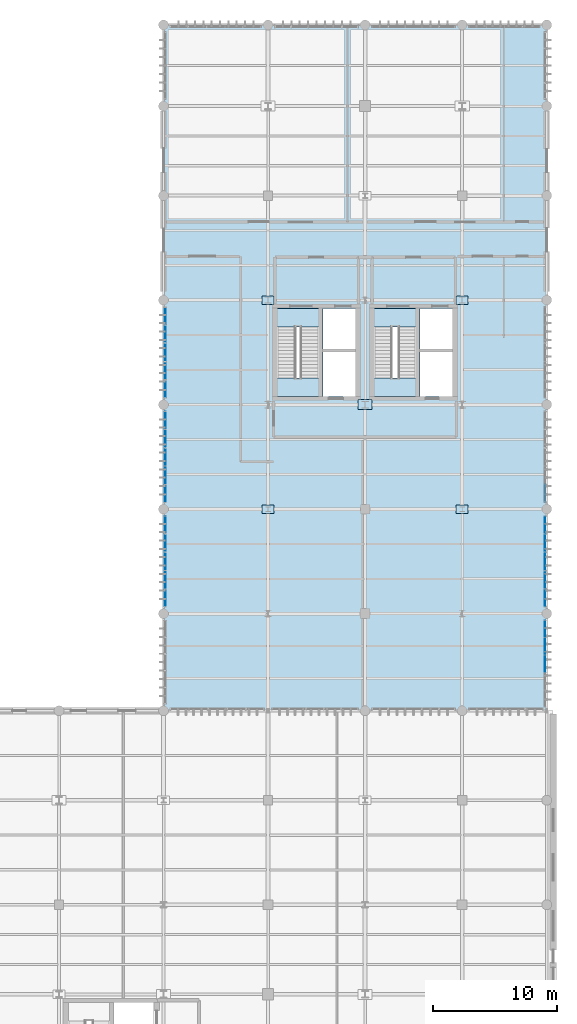
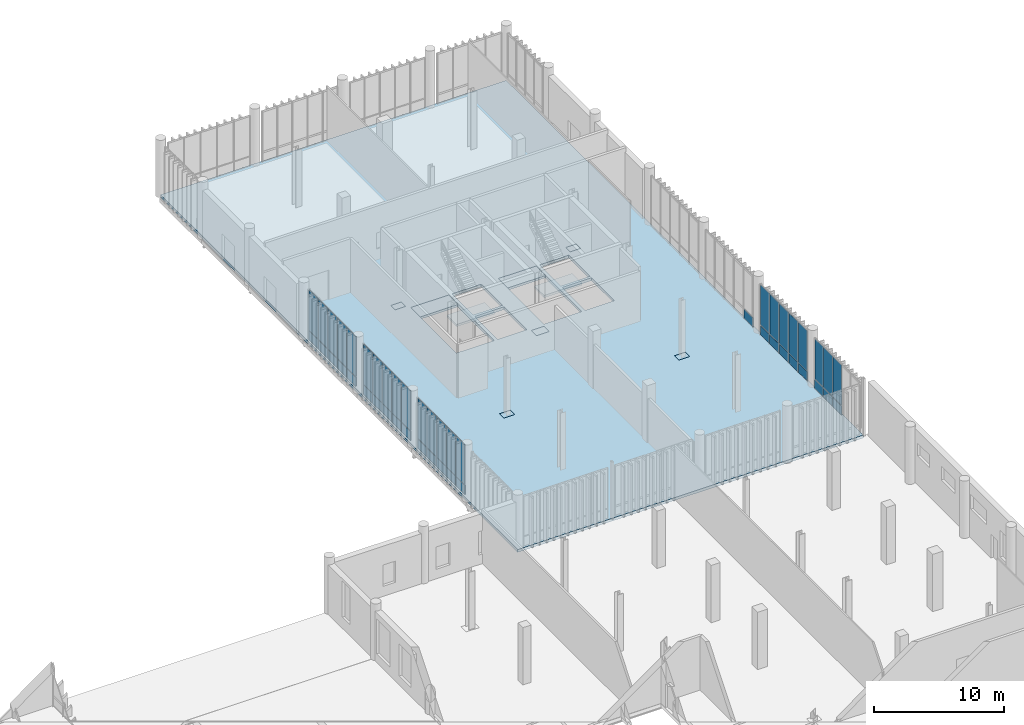
# One storey, part 82 of 112: 52 plates, 5 slabs, 8 elements without a shape of their own.
"""IFC4 building model written with IfcOpenShell, lengths in metres."""

from ifc_helpers import new_model, si_unit, direction, frame, frame_2d, origin_with_axes, origin_2d_with_axis, place, context, subcontext, project, spatial, polyline, rectangle, outline, extrude, material, layer, layer_set, type_object, element, aggregate, save


model = new_model("IFC4")

# Units and contexts
model_context = context("Model", 3, precision=1e-05, world=origin_with_axes(), true_north=direction((0.0, 1.0)))
body_context = subcontext(model_context, "Body", "Model", "MODEL_VIEW")
ifc_project = project(units=[si_unit("LENGTHUNIT", "METRE"), si_unit("AREAUNIT", "SQUARE_METRE"), si_unit("VOLUMEUNIT", "CUBIC_METRE"), si_unit("PLANEANGLEUNIT", "RADIAN"), si_unit("MASSUNIT", "GRAM", prefix="KILO"), si_unit("THERMODYNAMICTEMPERATUREUNIT", "KELVIN")], contexts=[model_context])

# Site, building, storey
site_placement = place(None, origin_with_axes())
site = spatial("IfcSite", under=ifc_project, at=site_placement, CompositionType="ELEMENT")
building_placement = place(site_placement, origin_with_axes())
building = spatial("IfcBuilding", under=site, at=building_placement, Name="Montbau Bow Law Courts", CompositionType="ELEMENT")
storey_placement = place(building_placement, origin_with_axes())
storey = spatial("IfcBuildingStorey", under=building, at=storey_placement, Name="L00", CompositionType="ELEMENT", Elevation=0.0)

# Plates
ifc_material_1 = material(Name="Steel CSA G40.21 Grade 350WT (350 MPa)", Category="steel")
ifc_layer_1 = layer(ifc_material_1, 0.065, Name="Base Plate", Category="steel")
ifc_layer_set_1 = layer_set([ifc_layer_1], Name="Steel CSA G40.21 Grade 350WT (350 MPa)")
plate_type_1 = type_object("IfcPlateType", Name="PL-BAS-01", PredefinedType="USERDEFINED", material=ifc_layer_set_1)
plate_1_placement = place(None, frame((154.8, 86.4, -0.065), z_axis=(0.0, 0.0, 1.0), x_axis=(1.0, 0.0, 0.0)))
element("IfcPlate", 1, at=plate_1_placement, inside=storey, type_object=plate_type_1, Name="BP-324:plt_0025", ObjectType="BASE_PLATE", PredefinedType="USERDEFINED", context=body_context, shape_type="SweptSolid", body=[
    extrude(rectangle(XDim=1.15, YDim=0.8, at=origin_2d_with_axis()), origin_with_axes(), (0.0, 0.0, 1.0), 0.065),
])
ifc_material_2 = material(Name="Steel CSA G40.21 Grade 350W (350 MPa)", Category="steel")
ifc_layer_2 = layer(ifc_material_2, 0.05, Name="Base Plate", Category="steel")
ifc_layer_set_2 = layer_set([ifc_layer_2], Name="Steel CSA G40.21 Grade 350W (350 MPa)")
plate_type_2 = type_object("IfcPlateType", Name="PL-BAS-02", PredefinedType="USERDEFINED", material=ifc_layer_set_2)
for number, where, z_axis, x_axis, name in (
    (2, (147.0, 78.0, -0.05), (0.0, 0.0, 1.0), (1.0, 0.0, 0.0), "BP-308:plt_0020"),
    (3, (147.0, 94.8, -0.05), (0.0, 0.0, 1.0), (1.0, 0.0, 0.0), "BP-310:plt_0021"),
    (4, (162.6, 78.0, -0.05), (0.0, 0.0, 1.0), (1.0, 0.0, 0.0), "BP-338:plt_0029"),
    (5, (162.6, 94.8, -0.05), (0.0, 0.0, 1.0), (1.0, 0.0, 0.0), "BP-340:plt_0030"),
):
    element("IfcPlate", number, at=place(None, frame(where, z_axis=z_axis, x_axis=x_axis)), inside=storey, type_object=plate_type_2, Name=name, ObjectType="BASE_PLATE", PredefinedType="USERDEFINED", context=body_context, shape_type="SweptSolid", body=[
        extrude(rectangle(XDim=0.96, YDim=0.68, at=origin_2d_with_axis()), origin_with_axes(), (0.0, 0.0, 1.0), 0.05),
    ])

# Curtain wall, plates
ifc_material_3 = material(Name="Thermally Broken Extruded Aluminium AA 6063-T6", Category="aluminium")
curtain_wall_type = type_object("IfcCurtainWallType", Name="CW-SLT-01", PredefinedType="NOTDEFINED", material=ifc_material_3)
curtain_wall_1_placement = place(None, frame((138.74, 70.115, 0.0), z_axis=(0.0, 0.0, 1.0), x_axis=(1.0, 0.0, 0.0)))
curtain_wall_1 = element("IfcCurtainWall", 6, at=curtain_wall_1_placement, inside=storey, type_object=curtain_wall_type, Name="CW-L00-268:cw_0268", PredefinedType="NOTDEFINED")
ifc_material_4 = material(Name="Triple-Glazed Low-E Argon Insulating Glass Unit", Category="glass")
ifc_layer_3 = layer(ifc_material_4, 0.044, Name="Curtain Panel", Category="glass")
ifc_layer_set_3 = layer_set([ifc_layer_3], Name="Triple-Glazed Low-E Argon Insulating Glass Unit")
plate_type_3 = type_object("IfcPlateType", Name="PL-CWP-01", PredefinedType="CURTAIN_PANEL", material=ifc_layer_set_3)
plate_2_placement = place(None, frame((138.74, 70.183, 0.982), z_axis=(1.0, 0.0, 0.0), x_axis=(0.0, 1.0, 0.0)))
plate_2 = element("IfcPlate", 7, at=plate_2_placement, type_object=plate_type_3, Name="CW-L00-268-P01-2:cw_0268_P01_2", PredefinedType="CURTAIN_PANEL", context=body_context, shape_type="SweptSolid", body=[
    extrude(rectangle(XDim=1.372, YDim=3.776, at=frame_2d((0.686, 1.888), x_axis=(1.0, 0.0))), frame((0.0, 0.0, -0.022), z_axis=(0.0, 0.0, 1.0), x_axis=(1.0, 0.0, 0.0)), (0.0, 0.0, 1.0), 0.044),
])
plate_3_placement = place(None, frame((138.74, 71.623, 0.982), z_axis=(1.0, 0.0, 0.0), x_axis=(0.0, 1.0, 0.0)))
plate_3 = element("IfcPlate", 8, at=plate_3_placement, type_object=plate_type_3, Name="CW-L00-268-P02-2:cw_0268_P02_2", PredefinedType="CURTAIN_PANEL", context=body_context, shape_type="SweptSolid", body=[
    extrude(rectangle(XDim=1.405, YDim=3.776, at=frame_2d((0.7025, 1.888), x_axis=(1.0, 0.0))), frame((0.0, 0.0, -0.022), z_axis=(0.0, 0.0, 1.0), x_axis=(1.0, 0.0, 0.0)), (0.0, 0.0, 1.0), 0.044),
])
plate_4_placement = place(None, frame((138.74, 73.097, 0.982), z_axis=(1.0, 0.0, 0.0), x_axis=(0.0, 1.0, 0.0)))
plate_4 = element("IfcPlate", 9, at=plate_4_placement, type_object=plate_type_3, Name="CW-L00-268-P03-2:cw_0268_P03_2", PredefinedType="CURTAIN_PANEL", context=body_context, shape_type="SweptSolid", body=[
    extrude(rectangle(XDim=1.406, YDim=3.776, at=frame_2d((0.703, 1.888), x_axis=(1.0, 0.0))), frame((0.0, 0.0, -0.022), z_axis=(0.0, 0.0, 1.0), x_axis=(1.0, 0.0, 0.0)), (0.0, 0.0, 1.0), 0.044),
])
plate_5_placement = place(None, frame((138.74, 74.571, 0.982), z_axis=(1.0, 0.0, 0.0), x_axis=(0.0, 1.0, 0.0)))
plate_5 = element("IfcPlate", 10, at=plate_5_placement, type_object=plate_type_3, Name="CW-L00-268-P04-2:cw_0268_P04_2", PredefinedType="CURTAIN_PANEL", context=body_context, shape_type="SweptSolid", body=[
    extrude(rectangle(XDim=1.406, YDim=3.776, at=frame_2d((0.703, 1.888), x_axis=(1.0, 0.0))), frame((0.0, 0.0, -0.022), z_axis=(0.0, 0.0, 1.0), x_axis=(1.0, 0.0, 0.0)), (0.0, 0.0, 1.0), 0.044),
])
plate_6_placement = place(None, frame((138.74, 76.045, 0.982), z_axis=(1.0, 0.0, 0.0), x_axis=(0.0, 1.0, 0.0)))
plate_6 = element("IfcPlate", 11, at=plate_6_placement, type_object=plate_type_3, Name="CW-L00-268-P05-2:cw_0268_P05_2", PredefinedType="CURTAIN_PANEL", context=body_context, shape_type="SweptSolid", body=[
    extrude(rectangle(XDim=1.374, YDim=3.776, at=frame_2d((0.687, 1.888), x_axis=(1.0, 0.0))), frame((0.0, 0.0, -0.022), z_axis=(0.0, 0.0, 1.0), x_axis=(1.0, 0.0, 0.0)), (0.0, 0.0, 1.0), 0.044),
])

curtain_wall_2_placement = place(None, frame((138.74, 78.515, 0.0), z_axis=(0.0, 0.0, 1.0), x_axis=(1.0, 0.0, 0.0)))
curtain_wall_2 = element("IfcCurtainWall", 12, at=curtain_wall_2_placement, inside=storey, type_object=curtain_wall_type, Name="CW-L00-269:cw_0269", PredefinedType="NOTDEFINED")
plate_7_placement = place(None, frame((138.74, 78.577, 0.979), z_axis=(1.0, 0.0, 0.0), x_axis=(0.0, 1.0, 0.0)))
plate_7 = element("IfcPlate", 13, at=plate_7_placement, type_object=plate_type_3, Name="CW-L00-269-P01-2:cw_0269_P01_2", PredefinedType="CURTAIN_PANEL", context=body_context, shape_type="SweptSolid", body=[
    extrude(rectangle(XDim=1.38, YDim=3.785, at=frame_2d((0.69, 1.8925), x_axis=(1.0, 0.0))), frame((0.0, 0.0, -0.022), z_axis=(0.0, 0.0, 1.0), x_axis=(1.0, 0.0, 0.0)), (0.0, 0.0, 1.0), 0.044),
])
plate_8_placement = place(None, frame((138.74, 80.021, 0.979), z_axis=(1.0, 0.0, 0.0), x_axis=(0.0, 1.0, 0.0)))
plate_8 = element("IfcPlate", 14, at=plate_8_placement, type_object=plate_type_3, Name="CW-L00-269-P02-2:cw_0269_P02_2", PredefinedType="CURTAIN_PANEL", context=body_context, shape_type="SweptSolid", body=[
    extrude(rectangle(XDim=1.41, YDim=3.785, at=frame_2d((0.705, 1.8925), x_axis=(1.0, 0.0))), frame((0.0, 0.0, -0.022), z_axis=(0.0, 0.0, 1.0), x_axis=(1.0, 0.0, 0.0)), (0.0, 0.0, 1.0), 0.044),
])
plate_9_placement = place(None, frame((138.74, 81.495, 0.979), z_axis=(1.0, 0.0, 0.0), x_axis=(0.0, 1.0, 0.0)))
plate_9 = element("IfcPlate", 15, at=plate_9_placement, type_object=plate_type_3, Name="CW-L00-269-P03-2:cw_0269_P03_2", PredefinedType="CURTAIN_PANEL", context=body_context, shape_type="SweptSolid", body=[
    extrude(rectangle(XDim=1.41, YDim=3.785, at=frame_2d((0.705, 1.8925), x_axis=(1.0, 0.0))), frame((0.0, 0.0, -0.022), z_axis=(0.0, 0.0, 1.0), x_axis=(1.0, 0.0, 0.0)), (0.0, 0.0, 1.0), 0.044),
])
plate_10_placement = place(None, frame((138.74, 82.969, 0.979), z_axis=(1.0, 0.0, 0.0), x_axis=(0.0, 1.0, 0.0)))
plate_10 = element("IfcPlate", 16, at=plate_10_placement, type_object=plate_type_3, Name="CW-L00-269-P04-2:cw_0269_P04_2", PredefinedType="CURTAIN_PANEL", context=body_context, shape_type="SweptSolid", body=[
    extrude(rectangle(XDim=1.41, YDim=3.785, at=frame_2d((0.705, 1.8925), x_axis=(1.0, 0.0))), frame((0.0, 0.0, -0.022), z_axis=(0.0, 0.0, 1.0), x_axis=(1.0, 0.0, 0.0)), (0.0, 0.0, 1.0), 0.044),
])
plate_11_placement = place(None, frame((138.74, 84.443, 0.979), z_axis=(1.0, 0.0, 0.0), x_axis=(0.0, 1.0, 0.0)))
plate_11 = element("IfcPlate", 17, at=plate_11_placement, type_object=plate_type_3, Name="CW-L00-269-P05-2:cw_0269_P05_2", PredefinedType="CURTAIN_PANEL", context=body_context, shape_type="SweptSolid", body=[
    extrude(rectangle(XDim=1.38, YDim=3.785, at=frame_2d((0.69, 1.8925), x_axis=(1.0, 0.0))), frame((0.0, 0.0, -0.022), z_axis=(0.0, 0.0, 1.0), x_axis=(1.0, 0.0, 0.0)), (0.0, 0.0, 1.0), 0.044),
])

curtain_wall_3_placement = place(None, frame((138.74, 86.915, 0.0), z_axis=(0.0, 0.0, 1.0), x_axis=(1.0, 0.0, 0.0)))
curtain_wall_3 = element("IfcCurtainWall", 18, at=curtain_wall_3_placement, inside=storey, type_object=curtain_wall_type, Name="CW-L00-270:cw_0270", PredefinedType="NOTDEFINED")
plate_12_placement = place(None, frame((138.74, 86.991, 0.982), z_axis=(1.0, 0.0, 0.0), x_axis=(0.0, 1.0, 0.0)))
plate_12 = element("IfcPlate", 19, at=plate_12_placement, type_object=plate_type_3, Name="CW-L00-270-P01-2:cw_0270_P01_2", PredefinedType="CURTAIN_PANEL", context=body_context, shape_type="SweptSolid", body=[
    extrude(rectangle(XDim=1.358, YDim=3.776, at=frame_2d((0.679, 1.888), x_axis=(1.0, 0.0))), frame((0.0, 0.0, -0.022), z_axis=(0.0, 0.0, 1.0), x_axis=(1.0, 0.0, 0.0)), (0.0, 0.0, 1.0), 0.044),
])
plate_13_placement = place(None, frame((138.74, 88.429, 0.982), z_axis=(1.0, 0.0, 0.0), x_axis=(0.0, 1.0, 0.0)))
plate_13 = element("IfcPlate", 20, at=plate_13_placement, type_object=plate_type_3, Name="CW-L00-270-P02-2:cw_0270_P02_2", PredefinedType="CURTAIN_PANEL", context=body_context, shape_type="SweptSolid", body=[
    extrude(rectangle(XDim=1.395, YDim=3.776, at=frame_2d((0.6975, 1.888), x_axis=(1.0, 0.0))), frame((0.0, 0.0, -0.022), z_axis=(0.0, 0.0, 1.0), x_axis=(1.0, 0.0, 0.0)), (0.0, 0.0, 1.0), 0.044),
])
plate_14_placement = place(None, frame((138.74, 89.902, 0.982), z_axis=(1.0, 0.0, 0.0), x_axis=(0.0, 1.0, 0.0)))
plate_14 = element("IfcPlate", 21, at=plate_14_placement, type_object=plate_type_3, Name="CW-L00-270-P03-2:cw_0270_P03_2", PredefinedType="CURTAIN_PANEL", context=body_context, shape_type="SweptSolid", body=[
    extrude(rectangle(XDim=1.396, YDim=3.776, at=frame_2d((0.698, 1.888), x_axis=(1.0, 0.0))), frame((0.0, 0.0, -0.022), z_axis=(0.0, 0.0, 1.0), x_axis=(1.0, 0.0, 0.0)), (0.0, 0.0, 1.0), 0.044),
])
plate_15_placement = place(None, frame((138.74, 91.376, 0.982), z_axis=(1.0, 0.0, 0.0), x_axis=(0.0, 1.0, 0.0)))
plate_15 = element("IfcPlate", 22, at=plate_15_placement, type_object=plate_type_3, Name="CW-L00-270-P04-2:cw_0270_P04_2", PredefinedType="CURTAIN_PANEL", context=body_context, shape_type="SweptSolid", body=[
    extrude(rectangle(XDim=1.396, YDim=3.776, at=frame_2d((0.698, 1.888), x_axis=(1.0, 0.0))), frame((0.0, 0.0, -0.022), z_axis=(0.0, 0.0, 1.0), x_axis=(1.0, 0.0, 0.0)), (0.0, 0.0, 1.0), 0.044),
])
plate_16_placement = place(None, frame((138.74, 92.85, 0.982), z_axis=(1.0, 0.0, 0.0), x_axis=(0.0, 1.0, 0.0)))
plate_16 = element("IfcPlate", 23, at=plate_16_placement, type_object=plate_type_3, Name="CW-L00-270-P05-2:cw_0270_P05_2", PredefinedType="CURTAIN_PANEL", context=body_context, shape_type="SweptSolid", body=[
    extrude(rectangle(XDim=1.358, YDim=3.776, at=frame_2d((0.679, 1.888), x_axis=(1.0, 0.0))), frame((0.0, 0.0, -0.022), z_axis=(0.0, 0.0, 1.0), x_axis=(1.0, 0.0, 0.0)), (0.0, 0.0, 1.0), 0.044),
])

curtain_wall_4_placement = place(None, frame((169.26, 62.068, 0.0), z_axis=(0.0, 0.0, 1.0), x_axis=(1.0, 0.0, 0.0)))
curtain_wall_4 = element("IfcCurtainWall", 24, at=curtain_wall_4_placement, inside=storey, type_object=curtain_wall_type, Name="CW-L00-272:cw_0272", PredefinedType="NOTDEFINED")
plate_17_placement = place(None, frame((169.26, 64.907, 0.982), z_axis=(1.0, 0.0, 0.0), x_axis=(0.0, 1.0, 0.0)))
plate_17 = element("IfcPlate", 25, at=plate_17_placement, type_object=plate_type_3, Name="CW-L00-272-P03-2:cw_0272_P03_2", PredefinedType="CURTAIN_PANEL", context=body_context, shape_type="SweptSolid", body=[
    extrude(rectangle(XDim=1.339, YDim=3.776, at=frame_2d((0.6695, 1.888), x_axis=(1.0, 0.0))), frame((0.0, 0.0, -0.022), z_axis=(0.0, 0.0, 1.0), x_axis=(1.0, 0.0, 0.0)), (0.0, 0.0, 1.0), 0.044),
])
plate_18_placement = place(None, frame((169.26, 66.31, 0.982), z_axis=(1.0, 0.0, 0.0), x_axis=(0.0, 1.0, 0.0)))
plate_18 = element("IfcPlate", 26, at=plate_18_placement, type_object=plate_type_3, Name="CW-L00-272-P04-2:cw_0272_P04_2", PredefinedType="CURTAIN_PANEL", context=body_context, shape_type="SweptSolid", body=[
    extrude(rectangle(XDim=1.34, YDim=3.776, at=frame_2d((0.67, 1.888), x_axis=(1.0, 0.0))), frame((0.0, 0.0, -0.022), z_axis=(0.0, 0.0, 1.0), x_axis=(1.0, 0.0, 0.0)), (0.0, 0.0, 1.0), 0.044),
])
plate_19_placement = place(None, frame((169.26, 67.714, 0.982), z_axis=(1.0, 0.0, 0.0), x_axis=(0.0, 1.0, 0.0)))
plate_19 = element("IfcPlate", 27, at=plate_19_placement, type_object=plate_type_3, Name="CW-L00-272-P05-2:cw_0272_P05_2", PredefinedType="CURTAIN_PANEL", context=body_context, shape_type="SweptSolid", body=[
    extrude(rectangle(XDim=1.309, YDim=3.776, at=frame_2d((0.6545, 1.888), x_axis=(1.0, 0.0))), frame((0.0, 0.0, -0.022), z_axis=(0.0, 0.0, 1.0), x_axis=(1.0, 0.0, 0.0)), (0.0, 0.0, 1.0), 0.044),
])

curtain_wall_5_placement = place(None, frame((169.26, 70.115, 0.0), z_axis=(0.0, 0.0, 1.0), x_axis=(1.0, 0.0, 0.0)))
curtain_wall_5 = element("IfcCurtainWall", 28, at=curtain_wall_5_placement, inside=storey, type_object=curtain_wall_type, Name="CW-L00-273:cw_0273", PredefinedType="NOTDEFINED")
plate_20_placement = place(None, frame((169.26, 70.191, 0.979), z_axis=(1.0, 0.0, 0.0), x_axis=(0.0, 1.0, 0.0)))
plate_20 = element("IfcPlate", 29, at=plate_20_placement, type_object=plate_type_3, Name="CW-L00-273-P01-2:cw_0273_P01_2", PredefinedType="CURTAIN_PANEL", context=body_context, shape_type="SweptSolid", body=[
    extrude(rectangle(XDim=1.358, YDim=3.785, at=frame_2d((0.679, 1.8925), x_axis=(1.0, 0.0))), frame((0.0, 0.0, -0.022), z_axis=(0.0, 0.0, 1.0), x_axis=(1.0, 0.0, 0.0)), (0.0, 0.0, 1.0), 0.044),
])
plate_21_placement = place(None, frame((169.26, 71.629, 0.979), z_axis=(1.0, 0.0, 0.0), x_axis=(0.0, 1.0, 0.0)))
plate_21 = element("IfcPlate", 30, at=plate_21_placement, type_object=plate_type_3, Name="CW-L00-273-P02-2:cw_0273_P02_2", PredefinedType="CURTAIN_PANEL", context=body_context, shape_type="SweptSolid", body=[
    extrude(rectangle(XDim=1.395, YDim=3.785, at=frame_2d((0.6975, 1.8925), x_axis=(1.0, 0.0))), frame((0.0, 0.0, -0.022), z_axis=(0.0, 0.0, 1.0), x_axis=(1.0, 0.0, 0.0)), (0.0, 0.0, 1.0), 0.044),
])
plate_22_placement = place(None, frame((169.26, 73.102, 0.979), z_axis=(1.0, 0.0, 0.0), x_axis=(0.0, 1.0, 0.0)))
plate_22 = element("IfcPlate", 31, at=plate_22_placement, type_object=plate_type_3, Name="CW-L00-273-P03-2:cw_0273_P03_2", PredefinedType="CURTAIN_PANEL", context=body_context, shape_type="SweptSolid", body=[
    extrude(rectangle(XDim=1.396, YDim=3.785, at=frame_2d((0.698, 1.8925), x_axis=(1.0, 0.0))), frame((0.0, 0.0, -0.022), z_axis=(0.0, 0.0, 1.0), x_axis=(1.0, 0.0, 0.0)), (0.0, 0.0, 1.0), 0.044),
])
plate_23_placement = place(None, frame((169.26, 74.576, 0.979), z_axis=(1.0, 0.0, 0.0), x_axis=(0.0, 1.0, 0.0)))
plate_23 = element("IfcPlate", 32, at=plate_23_placement, type_object=plate_type_3, Name="CW-L00-273-P04-2:cw_0273_P04_2", PredefinedType="CURTAIN_PANEL", context=body_context, shape_type="SweptSolid", body=[
    extrude(rectangle(XDim=1.396, YDim=3.785, at=frame_2d((0.698, 1.8925), x_axis=(1.0, 0.0))), frame((0.0, 0.0, -0.022), z_axis=(0.0, 0.0, 1.0), x_axis=(1.0, 0.0, 0.0)), (0.0, 0.0, 1.0), 0.044),
])
plate_24_placement = place(None, frame((169.26, 76.05, 0.979), z_axis=(1.0, 0.0, 0.0), x_axis=(0.0, 1.0, 0.0)))
plate_24 = element("IfcPlate", 33, at=plate_24_placement, type_object=plate_type_3, Name="CW-L00-273-P05-2:cw_0273_P05_2", PredefinedType="CURTAIN_PANEL", context=body_context, shape_type="SweptSolid", body=[
    extrude(rectangle(XDim=1.359, YDim=3.785, at=frame_2d((0.6795, 1.8925), x_axis=(1.0, 0.0))), frame((0.0, 0.0, -0.022), z_axis=(0.0, 0.0, 1.0), x_axis=(1.0, 0.0, 0.0)), (0.0, 0.0, 1.0), 0.044),
])

# Plate
ifc_material_5 = material(Name="Insulated Ceramic-Frit Spandrel Glazing Unit", Category="glass")
ifc_layer_4 = layer(ifc_material_5, 0.056, Name="Curtain Panel", Category="glass")
ifc_layer_set_4 = layer_set([ifc_layer_4], Name="Insulated Ceramic-Frit Spandrel Glazing Unit")
plate_type_4 = type_object("IfcPlateType", Name="PL-CWP-02", PredefinedType="CURTAIN_PANEL", material=ifc_layer_set_4)
plate_25_placement = place(None, frame((138.74, 70.183, 0.062), z_axis=(1.0, 0.0, 0.0), x_axis=(0.0, 1.0, 0.0)))
plate_25 = element("IfcPlate", 34, at=plate_25_placement, type_object=plate_type_4, Name="CW-L00-268-P01-1:cw_0268_P01_1", PredefinedType="CURTAIN_PANEL", context=body_context, shape_type="SweptSolid", body=[
    extrude(rectangle(XDim=1.372, YDim=0.856, at=frame_2d((0.686, 0.428), x_axis=(1.0, 0.0))), frame((0.0, 0.0, -0.028), z_axis=(0.0, 0.0, 1.0), x_axis=(1.0, 0.0, 0.0)), (0.0, 0.0, 1.0), 0.056),
])

plate_26_placement = place(None, frame((138.74, 71.623, 0.062), z_axis=(1.0, 0.0, 0.0), x_axis=(0.0, 1.0, 0.0)))
plate_26 = element("IfcPlate", 35, at=plate_26_placement, type_object=plate_type_4, Name="CW-L00-268-P02-1:cw_0268_P02_1", PredefinedType="CURTAIN_PANEL", context=body_context, shape_type="SweptSolid", body=[
    extrude(rectangle(XDim=1.405, YDim=0.856, at=frame_2d((0.7025, 0.428), x_axis=(1.0, 0.0))), frame((0.0, 0.0, -0.028), z_axis=(0.0, 0.0, 1.0), x_axis=(1.0, 0.0, 0.0)), (0.0, 0.0, 1.0), 0.056),
])

plate_27_placement = place(None, frame((138.74, 73.097, 0.062), z_axis=(1.0, 0.0, 0.0), x_axis=(0.0, 1.0, 0.0)))
plate_27 = element("IfcPlate", 36, at=plate_27_placement, type_object=plate_type_4, Name="CW-L00-268-P03-1:cw_0268_P03_1", PredefinedType="CURTAIN_PANEL", context=body_context, shape_type="SweptSolid", body=[
    extrude(rectangle(XDim=1.406, YDim=0.856, at=frame_2d((0.703, 0.428), x_axis=(1.0, 0.0))), frame((0.0, 0.0, -0.028), z_axis=(0.0, 0.0, 1.0), x_axis=(1.0, 0.0, 0.0)), (0.0, 0.0, 1.0), 0.056),
])

plate_28_placement = place(None, frame((138.74, 74.571, 0.062), z_axis=(1.0, 0.0, 0.0), x_axis=(0.0, 1.0, 0.0)))
plate_28 = element("IfcPlate", 37, at=plate_28_placement, type_object=plate_type_4, Name="CW-L00-268-P04-1:cw_0268_P04_1", PredefinedType="CURTAIN_PANEL", context=body_context, shape_type="SweptSolid", body=[
    extrude(rectangle(XDim=1.406, YDim=0.856, at=frame_2d((0.703, 0.428), x_axis=(1.0, 0.0))), frame((0.0, 0.0, -0.028), z_axis=(0.0, 0.0, 1.0), x_axis=(1.0, 0.0, 0.0)), (0.0, 0.0, 1.0), 0.056),
])

plate_29_placement = place(None, frame((138.74, 76.045, 0.062), z_axis=(1.0, 0.0, 0.0), x_axis=(0.0, 1.0, 0.0)))
plate_29 = element("IfcPlate", 38, at=plate_29_placement, type_object=plate_type_4, Name="CW-L00-268-P05-1:cw_0268_P05_1", PredefinedType="CURTAIN_PANEL", context=body_context, shape_type="SweptSolid", body=[
    extrude(rectangle(XDim=1.374, YDim=0.856, at=frame_2d((0.687, 0.428), x_axis=(1.0, 0.0))), frame((0.0, 0.0, -0.028), z_axis=(0.0, 0.0, 1.0), x_axis=(1.0, 0.0, 0.0)), (0.0, 0.0, 1.0), 0.056),
])

aggregate(curtain_wall_1, [plate_25, plate_2, plate_26, plate_3, plate_27, plate_4, plate_28, plate_5, plate_29, plate_6])

plate_30_placement = place(None, frame((138.74, 78.577, 0.058), z_axis=(1.0, 0.0, 0.0), x_axis=(0.0, 1.0, 0.0)))
plate_30 = element("IfcPlate", 39, at=plate_30_placement, type_object=plate_type_4, Name="CW-L00-269-P01-1:cw_0269_P01_1", PredefinedType="CURTAIN_PANEL", context=body_context, shape_type="SweptSolid", body=[
    extrude(rectangle(XDim=1.38, YDim=0.862, at=frame_2d((0.69, 0.431), x_axis=(1.0, 0.0))), frame((0.0, 0.0, -0.028), z_axis=(0.0, 0.0, 1.0), x_axis=(1.0, 0.0, 0.0)), (0.0, 0.0, 1.0), 0.056),
])

plate_31_placement = place(None, frame((138.74, 80.021, 0.058), z_axis=(1.0, 0.0, 0.0), x_axis=(0.0, 1.0, 0.0)))
plate_31 = element("IfcPlate", 40, at=plate_31_placement, type_object=plate_type_4, Name="CW-L00-269-P02-1:cw_0269_P02_1", PredefinedType="CURTAIN_PANEL", context=body_context, shape_type="SweptSolid", body=[
    extrude(rectangle(XDim=1.41, YDim=0.862, at=frame_2d((0.705, 0.431), x_axis=(1.0, 0.0))), frame((0.0, 0.0, -0.028), z_axis=(0.0, 0.0, 1.0), x_axis=(1.0, 0.0, 0.0)), (0.0, 0.0, 1.0), 0.056),
])

plate_32_placement = place(None, frame((138.74, 81.495, 0.058), z_axis=(1.0, 0.0, 0.0), x_axis=(0.0, 1.0, 0.0)))
plate_32 = element("IfcPlate", 41, at=plate_32_placement, type_object=plate_type_4, Name="CW-L00-269-P03-1:cw_0269_P03_1", PredefinedType="CURTAIN_PANEL", context=body_context, shape_type="SweptSolid", body=[
    extrude(rectangle(XDim=1.41, YDim=0.862, at=frame_2d((0.705, 0.431), x_axis=(1.0, 0.0))), frame((0.0, 0.0, -0.028), z_axis=(0.0, 0.0, 1.0), x_axis=(1.0, 0.0, 0.0)), (0.0, 0.0, 1.0), 0.056),
])

plate_33_placement = place(None, frame((138.74, 82.969, 0.058), z_axis=(1.0, 0.0, 0.0), x_axis=(0.0, 1.0, 0.0)))
plate_33 = element("IfcPlate", 42, at=plate_33_placement, type_object=plate_type_4, Name="CW-L00-269-P04-1:cw_0269_P04_1", PredefinedType="CURTAIN_PANEL", context=body_context, shape_type="SweptSolid", body=[
    extrude(rectangle(XDim=1.41, YDim=0.862, at=frame_2d((0.705, 0.431), x_axis=(1.0, 0.0))), frame((0.0, 0.0, -0.028), z_axis=(0.0, 0.0, 1.0), x_axis=(1.0, 0.0, 0.0)), (0.0, 0.0, 1.0), 0.056),
])

plate_34_placement = place(None, frame((138.74, 84.443, 0.058), z_axis=(1.0, 0.0, 0.0), x_axis=(0.0, 1.0, 0.0)))
plate_34 = element("IfcPlate", 43, at=plate_34_placement, type_object=plate_type_4, Name="CW-L00-269-P05-1:cw_0269_P05_1", PredefinedType="CURTAIN_PANEL", context=body_context, shape_type="SweptSolid", body=[
    extrude(rectangle(XDim=1.38, YDim=0.862, at=frame_2d((0.69, 0.431), x_axis=(1.0, 0.0))), frame((0.0, 0.0, -0.028), z_axis=(0.0, 0.0, 1.0), x_axis=(1.0, 0.0, 0.0)), (0.0, 0.0, 1.0), 0.056),
])

aggregate(curtain_wall_2, [plate_30, plate_7, plate_31, plate_8, plate_32, plate_9, plate_33, plate_10, plate_34, plate_11])

plate_35_placement = place(None, frame((138.74, 86.991, 0.062), z_axis=(1.0, 0.0, 0.0), x_axis=(0.0, 1.0, 0.0)))
plate_35 = element("IfcPlate", 44, at=plate_35_placement, type_object=plate_type_4, Name="CW-L00-270-P01-1:cw_0270_P01_1", PredefinedType="CURTAIN_PANEL", context=body_context, shape_type="SweptSolid", body=[
    extrude(rectangle(XDim=1.358, YDim=0.856, at=frame_2d((0.679, 0.428), x_axis=(1.0, 0.0))), frame((0.0, 0.0, -0.028), z_axis=(0.0, 0.0, 1.0), x_axis=(1.0, 0.0, 0.0)), (0.0, 0.0, 1.0), 0.056),
])

plate_36_placement = place(None, frame((138.74, 88.429, 0.062), z_axis=(1.0, 0.0, 0.0), x_axis=(0.0, 1.0, 0.0)))
plate_36 = element("IfcPlate", 45, at=plate_36_placement, type_object=plate_type_4, Name="CW-L00-270-P02-1:cw_0270_P02_1", PredefinedType="CURTAIN_PANEL", context=body_context, shape_type="SweptSolid", body=[
    extrude(rectangle(XDim=1.395, YDim=0.856, at=frame_2d((0.6975, 0.428), x_axis=(1.0, 0.0))), frame((0.0, 0.0, -0.028), z_axis=(0.0, 0.0, 1.0), x_axis=(1.0, 0.0, 0.0)), (0.0, 0.0, 1.0), 0.056),
])

plate_37_placement = place(None, frame((138.74, 89.902, 0.062), z_axis=(1.0, 0.0, 0.0), x_axis=(0.0, 1.0, 0.0)))
plate_37 = element("IfcPlate", 46, at=plate_37_placement, type_object=plate_type_4, Name="CW-L00-270-P03-1:cw_0270_P03_1", PredefinedType="CURTAIN_PANEL", context=body_context, shape_type="SweptSolid", body=[
    extrude(rectangle(XDim=1.396, YDim=0.856, at=frame_2d((0.698, 0.428), x_axis=(1.0, 0.0))), frame((0.0, 0.0, -0.028), z_axis=(0.0, 0.0, 1.0), x_axis=(1.0, 0.0, 0.0)), (0.0, 0.0, 1.0), 0.056),
])

plate_38_placement = place(None, frame((138.74, 91.376, 0.062), z_axis=(1.0, 0.0, 0.0), x_axis=(0.0, 1.0, 0.0)))
plate_38 = element("IfcPlate", 47, at=plate_38_placement, type_object=plate_type_4, Name="CW-L00-270-P04-1:cw_0270_P04_1", PredefinedType="CURTAIN_PANEL", context=body_context, shape_type="SweptSolid", body=[
    extrude(rectangle(XDim=1.396, YDim=0.856, at=frame_2d((0.698, 0.428), x_axis=(1.0, 0.0))), frame((0.0, 0.0, -0.028), z_axis=(0.0, 0.0, 1.0), x_axis=(1.0, 0.0, 0.0)), (0.0, 0.0, 1.0), 0.056),
])

plate_39_placement = place(None, frame((138.74, 92.85, 0.062), z_axis=(1.0, 0.0, 0.0), x_axis=(0.0, 1.0, 0.0)))
plate_39 = element("IfcPlate", 48, at=plate_39_placement, type_object=plate_type_4, Name="CW-L00-270-P05-1:cw_0270_P05_1", PredefinedType="CURTAIN_PANEL", context=body_context, shape_type="SweptSolid", body=[
    extrude(rectangle(XDim=1.358, YDim=0.856, at=frame_2d((0.679, 0.428), x_axis=(1.0, 0.0))), frame((0.0, 0.0, -0.028), z_axis=(0.0, 0.0, 1.0), x_axis=(1.0, 0.0, 0.0)), (0.0, 0.0, 1.0), 0.056),
])

aggregate(curtain_wall_3, [plate_35, plate_12, plate_36, plate_13, plate_37, plate_14, plate_38, plate_15, plate_39, plate_16])

plate_40_placement = place(None, frame((169.26, 64.907, 0.062), z_axis=(1.0, 0.0, 0.0), x_axis=(0.0, 1.0, 0.0)))
plate_40 = element("IfcPlate", 49, at=plate_40_placement, type_object=plate_type_4, Name="CW-L00-272-P03-1:cw_0272_P03_1", PredefinedType="CURTAIN_PANEL", context=body_context, shape_type="SweptSolid", body=[
    extrude(rectangle(XDim=1.339, YDim=0.856, at=frame_2d((0.6695, 0.428), x_axis=(1.0, 0.0))), frame((0.0, 0.0, -0.028), z_axis=(0.0, 0.0, 1.0), x_axis=(1.0, 0.0, 0.0)), (0.0, 0.0, 1.0), 0.056),
])

plate_41_placement = place(None, frame((169.26, 66.31, 0.062), z_axis=(1.0, 0.0, 0.0), x_axis=(0.0, 1.0, 0.0)))
plate_41 = element("IfcPlate", 50, at=plate_41_placement, type_object=plate_type_4, Name="CW-L00-272-P04-1:cw_0272_P04_1", PredefinedType="CURTAIN_PANEL", context=body_context, shape_type="SweptSolid", body=[
    extrude(rectangle(XDim=1.34, YDim=0.856, at=frame_2d((0.67, 0.428), x_axis=(1.0, 0.0))), frame((0.0, 0.0, -0.028), z_axis=(0.0, 0.0, 1.0), x_axis=(1.0, 0.0, 0.0)), (0.0, 0.0, 1.0), 0.056),
])

plate_42_placement = place(None, frame((169.26, 67.714, 0.062), z_axis=(1.0, 0.0, 0.0), x_axis=(0.0, 1.0, 0.0)))
plate_42 = element("IfcPlate", 51, at=plate_42_placement, type_object=plate_type_4, Name="CW-L00-272-P05-1:cw_0272_P05_1", PredefinedType="CURTAIN_PANEL", context=body_context, shape_type="SweptSolid", body=[
    extrude(rectangle(XDim=1.309, YDim=0.856, at=frame_2d((0.6545, 0.428), x_axis=(1.0, 0.0))), frame((0.0, 0.0, -0.028), z_axis=(0.0, 0.0, 1.0), x_axis=(1.0, 0.0, 0.0)), (0.0, 0.0, 1.0), 0.056),
])

aggregate(curtain_wall_4, [plate_40, plate_17, plate_41, plate_18, plate_42, plate_19])

plate_43_placement = place(None, frame((169.26, 70.191, 0.058), z_axis=(1.0, 0.0, 0.0), x_axis=(0.0, 1.0, 0.0)))
plate_43 = element("IfcPlate", 52, at=plate_43_placement, type_object=plate_type_4, Name="CW-L00-273-P01-1:cw_0273_P01_1", PredefinedType="CURTAIN_PANEL", context=body_context, shape_type="SweptSolid", body=[
    extrude(rectangle(XDim=1.358, YDim=0.862, at=frame_2d((0.679, 0.431), x_axis=(1.0, 0.0))), frame((0.0, 0.0, -0.028), z_axis=(0.0, 0.0, 1.0), x_axis=(1.0, 0.0, 0.0)), (0.0, 0.0, 1.0), 0.056),
])

plate_44_placement = place(None, frame((169.26, 71.629, 0.058), z_axis=(1.0, 0.0, 0.0), x_axis=(0.0, 1.0, 0.0)))
plate_44 = element("IfcPlate", 53, at=plate_44_placement, type_object=plate_type_4, Name="CW-L00-273-P02-1:cw_0273_P02_1", PredefinedType="CURTAIN_PANEL", context=body_context, shape_type="SweptSolid", body=[
    extrude(rectangle(XDim=1.395, YDim=0.862, at=frame_2d((0.6975, 0.431), x_axis=(1.0, 0.0))), frame((0.0, 0.0, -0.028), z_axis=(0.0, 0.0, 1.0), x_axis=(1.0, 0.0, 0.0)), (0.0, 0.0, 1.0), 0.056),
])

plate_45_placement = place(None, frame((169.26, 73.102, 0.058), z_axis=(1.0, 0.0, 0.0), x_axis=(0.0, 1.0, 0.0)))
plate_45 = element("IfcPlate", 54, at=plate_45_placement, type_object=plate_type_4, Name="CW-L00-273-P03-1:cw_0273_P03_1", PredefinedType="CURTAIN_PANEL", context=body_context, shape_type="SweptSolid", body=[
    extrude(rectangle(XDim=1.396, YDim=0.862, at=frame_2d((0.698, 0.431), x_axis=(1.0, 0.0))), frame((0.0, 0.0, -0.028), z_axis=(0.0, 0.0, 1.0), x_axis=(1.0, 0.0, 0.0)), (0.0, 0.0, 1.0), 0.056),
])

plate_46_placement = place(None, frame((169.26, 74.576, 0.058), z_axis=(1.0, 0.0, 0.0), x_axis=(0.0, 1.0, 0.0)))
plate_46 = element("IfcPlate", 55, at=plate_46_placement, type_object=plate_type_4, Name="CW-L00-273-P04-1:cw_0273_P04_1", PredefinedType="CURTAIN_PANEL", context=body_context, shape_type="SweptSolid", body=[
    extrude(rectangle(XDim=1.396, YDim=0.862, at=frame_2d((0.698, 0.431), x_axis=(1.0, 0.0))), frame((0.0, 0.0, -0.028), z_axis=(0.0, 0.0, 1.0), x_axis=(1.0, 0.0, 0.0)), (0.0, 0.0, 1.0), 0.056),
])

plate_47_placement = place(None, frame((169.26, 76.05, 0.058), z_axis=(1.0, 0.0, 0.0), x_axis=(0.0, 1.0, 0.0)))
plate_47 = element("IfcPlate", 56, at=plate_47_placement, type_object=plate_type_4, Name="CW-L00-273-P05-1:cw_0273_P05_1", PredefinedType="CURTAIN_PANEL", context=body_context, shape_type="SweptSolid", body=[
    extrude(rectangle(XDim=1.359, YDim=0.862, at=frame_2d((0.6795, 0.431), x_axis=(1.0, 0.0))), frame((0.0, 0.0, -0.028), z_axis=(0.0, 0.0, 1.0), x_axis=(1.0, 0.0, 0.0)), (0.0, 0.0, 1.0), 0.056),
])

aggregate(curtain_wall_5, [plate_43, plate_20, plate_44, plate_21, plate_45, plate_22, plate_46, plate_23, plate_47, plate_24])

# Curtain wall, plate
curtain_wall_6_placement = place(None, frame((169.26, 78.515, 0.0), z_axis=(0.0, 0.0, 1.0), x_axis=(1.0, 0.0, 0.0)))
curtain_wall_6 = element("IfcCurtainWall", 57, at=curtain_wall_6_placement, inside=storey, type_object=curtain_wall_type, Name="CW-L00-274:cw_0274", PredefinedType="NOTDEFINED")
plate_48_placement = place(None, frame((169.26, 78.583, 0.062), z_axis=(1.0, 0.0, 0.0), x_axis=(0.0, 1.0, 0.0)))
plate_48 = element("IfcPlate", 58, at=plate_48_placement, type_object=plate_type_4, Name="CW-L00-274-P01-1:cw_0274_P01_1", PredefinedType="CURTAIN_PANEL", context=body_context, shape_type="SweptSolid", body=[
    extrude(rectangle(XDim=1.372, YDim=0.856, at=frame_2d((0.686, 0.428), x_axis=(1.0, 0.0))), frame((0.0, 0.0, -0.028), z_axis=(0.0, 0.0, 1.0), x_axis=(1.0, 0.0, 0.0)), (0.0, 0.0, 1.0), 0.056),
])
aggregate(curtain_wall_6, [plate_48])

# Slab
ifc_material_6 = material(Name="Concrete CSA A23.1 f'c 40 MPa", Category="concrete")
ifc_layer_5 = layer(ifc_material_6, 0.26, Name="Floor Slab", Category="concrete")
ifc_layer_set_5 = layer_set([ifc_layer_5], Name="Concrete CSA A23.1 f'c 40 MPa")
slab_type_1 = type_object("IfcSlabType", Name="SL-FLR-04", PredefinedType="FLOOR", material=ifc_layer_set_5)
slab_1_placement = place(None, frame((0.0, 0.0, -0.26), z_axis=(0.0, 0.0, 1.0), x_axis=(1.0, 0.0, 0.0)))
element("IfcSlab", 59, at=slab_1_placement, inside=storey, type_object=slab_type_1, Name="SL-V5-L00:slb_0025", PredefinedType="FLOOR", context=body_context, shape_type="SweptSolid", body=[
    extrude(outline(polyline([(138.6, 61.8), (169.4, 61.8), (169.4, 116.92), (138.6, 116.92), (138.6, 61.8)]), holes=[polyline([(147.72, 87.07), (151.1, 87.07), (151.1, 94.112), (147.72, 94.112), (147.72, 87.07)]), polyline([(151.4, 87.07), (154.01, 87.07), (154.01, 90.621), (151.4, 90.621), (151.4, 87.07)]), polyline([(151.4, 90.861), (154.01, 90.861), (154.01, 94.13), (151.4, 94.13), (151.4, 90.861)]), polyline([(155.52, 87.07), (158.9, 87.07), (158.9, 94.112), (155.52, 94.112), (155.52, 87.07)]), polyline([(159.2, 87.07), (161.81, 87.07), (161.81, 90.621), (159.2, 90.621), (159.2, 87.07)]), polyline([(159.2, 90.861), (161.81, 90.861), (161.81, 94.13), (159.2, 94.13), (159.2, 90.861)])]), origin_with_axes(), (0.0, 0.0, 1.0), 0.26),
])

# Stair, slabs
stair_type_1 = type_object("IfcStairType", Name="ST-PUB-1800", PredefinedType="HALF_TURN_STAIR", material=ifc_material_6)
stair_1_placement = place(None, frame((148.505, 92.7, 0.0), z_axis=(0.0, 0.0, 1.0), x_axis=(1.0, 0.0, 0.0)))
stair_1 = element("IfcStair", 60, at=stair_1_placement, inside=storey, type_object=stair_type_1, Name="ST-P2-L00:str_0034", PredefinedType="HALF_TURN_STAIR")
ifc_layer_6 = layer(ifc_material_6, 0.21, Name="Landing", Category="concrete")
ifc_layer_set_6 = layer_set([ifc_layer_6], Name="Concrete CSA A23.1 f'c 40 MPa")
slab_type_2 = type_object("IfcSlabType", Name="SL-LND-02", PredefinedType="LANDING", material=ifc_layer_set_6)
slab_2_placement = place(None, frame((0.0, 0.0, -0.21), z_axis=(0.0, 0.0, 1.0), x_axis=(1.0, 0.0, 0.0)))
slab_2 = element("IfcSlab", 61, at=slab_2_placement, type_object=slab_type_2, Name="ST-P2-L00-LB:str_0034_LB", PredefinedType="LANDING", context=body_context, shape_type="SweptSolid", body=[
    extrude(outline(polyline([(147.72, 92.66), (151.1, 92.66), (151.1, 94.13), (147.72, 94.13), (147.72, 92.66)])), origin_with_axes(), (0.0, 0.0, 1.0), 0.21),
])
slab_3_placement = place(None, frame((0.0, 0.0, 2.49), z_axis=(0.0, 0.0, 1.0), x_axis=(1.0, 0.0, 0.0)))
slab_3 = element("IfcSlab", 62, at=slab_3_placement, type_object=slab_type_2, Name="ST-P2-L00-LM:str_0034_LM", PredefinedType="LANDING", context=body_context, shape_type="SweptSolid", body=[
    extrude(outline(polyline([(147.72, 87.04), (151.1, 87.04), (151.1, 88.54), (147.72, 88.54), (147.72, 87.04)])), origin_with_axes(), (0.0, 0.0, 1.0), 0.21),
])
aggregate(stair_1, [slab_2, slab_3])

stair_type_2 = type_object("IfcStairType", Name="ST-JUD-1500", PredefinedType="HALF_TURN_STAIR", material=ifc_material_6)
stair_2_placement = place(None, frame((156.265, 92.7, 0.0), z_axis=(0.0, 0.0, 1.0), x_axis=(1.0, 0.0, 0.0)))
stair_2 = element("IfcStair", 63, at=stair_2_placement, inside=storey, type_object=stair_type_2, Name="ST-J2-L00:str_0045", PredefinedType="HALF_TURN_STAIR")
slab_4_placement = place(None, frame((0.0, 0.0, -0.21), z_axis=(0.0, 0.0, 1.0), x_axis=(1.0, 0.0, 0.0)))
slab_4 = element("IfcSlab", 64, at=slab_4_placement, type_object=slab_type_2, Name="ST-J2-L00-LB:str_0045_LB", PredefinedType="LANDING", context=body_context, shape_type="SweptSolid", body=[
    extrude(outline(polyline([(155.52, 92.66), (158.9, 92.66), (158.9, 94.13), (155.52, 94.13), (155.52, 92.66)])), origin_with_axes(), (0.0, 0.0, 1.0), 0.21),
])
slab_5_placement = place(None, frame((0.0, 0.0, 2.49), z_axis=(0.0, 0.0, 1.0), x_axis=(1.0, 0.0, 0.0)))
slab_5 = element("IfcSlab", 65, at=slab_5_placement, type_object=slab_type_2, Name="ST-J2-L00-LM:str_0045_LM", PredefinedType="LANDING", context=body_context, shape_type="SweptSolid", body=[
    extrude(outline(polyline([(155.52, 87.04), (158.9, 87.04), (158.9, 88.54), (155.52, 88.54), (155.52, 87.04)])), origin_with_axes(), (0.0, 0.0, 1.0), 0.21),
])
aggregate(stair_2, [slab_4, slab_5])

save(model, "model.ifc")
